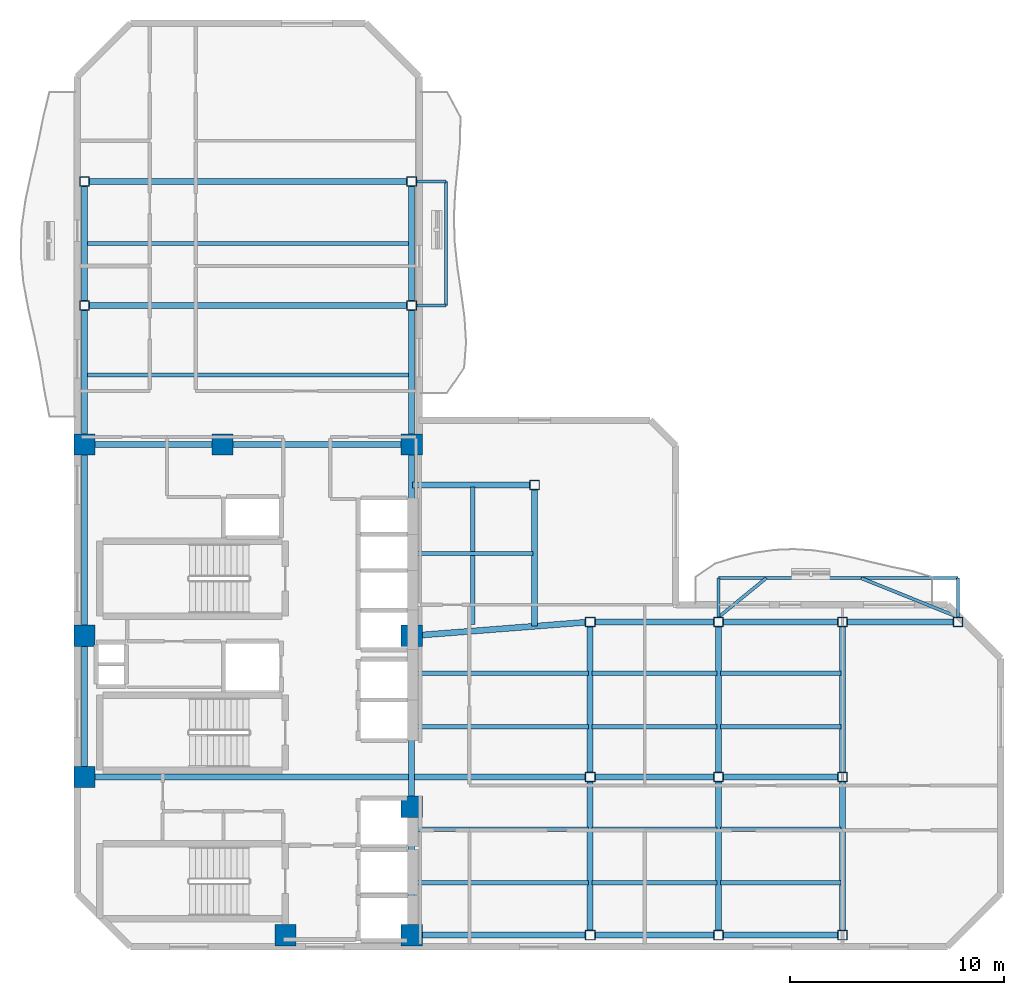
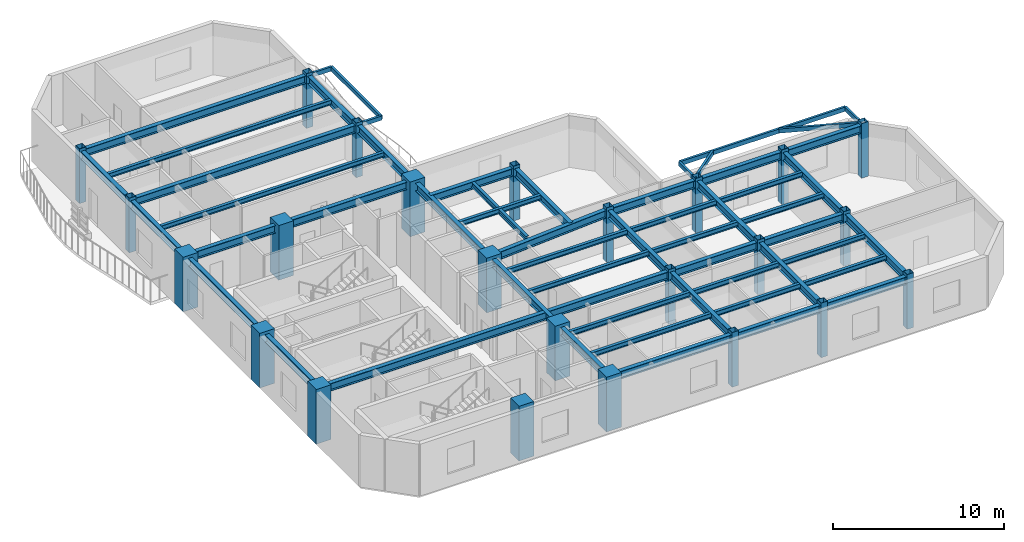
# One storey, part 1 of 9: 55 beams, 24 columns.
"""IFC4 building model written with IfcOpenShell, lengths in metres."""

from ifc_helpers import new_model, si_unit, direction, frame, origin, origin_2d, place, context, subcontext, project, spatial, rectangle, hollow_rectangle, i_section, extrude, material, material_profile, profile_set, type_object, element, save


model = new_model("IFC4")

# Units and contexts
model_context = context("Model", 3, precision=1e-05, world=origin(), true_north=direction((0.0, 1.0)))
body_context = subcontext(model_context, "Body", "Model", "MODEL_VIEW")
ifc_project = project(units=[si_unit("LENGTHUNIT", "METRE"), si_unit("AREAUNIT", "SQUARE_METRE"), si_unit("VOLUMEUNIT", "CUBIC_METRE"), si_unit("PLANEANGLEUNIT", "RADIAN"), si_unit("MASSUNIT", "GRAM", prefix="KILO")], contexts=[model_context])

# Site, building, storey
site_placement = place(None, origin())
site = spatial("IfcSite", under=ifc_project, at=site_placement, CompositionType="ELEMENT")
building_placement = place(site_placement, origin())
building = spatial("IfcBuilding", under=site, at=building_placement, Name="Mawjaban Terraces University", CompositionType="ELEMENT")
storey_placement = place(building_placement, frame((0.0, 0.0, 175.800048828125)))
storey = spatial("IfcBuildingStorey", under=building, at=storey_placement, Name="L42", CompositionType="ELEMENT", Elevation=175.800048828125)

# Columns
ifc_material_1 = material(Name="Concrete C60/75", Category="concrete")
ifc_material_profile_1 = material_profile(ifc_material_1, rectangle(XDim=1.0, YDim=1.0, at=origin_2d()), Name="RC1000X1000")
ifc_profile_set_1 = profile_set([ifc_material_profile_1], Name="Concrete C60/75")
column_type_1 = type_object("IfcColumnType", Name="Col_RC1000X1000", PredefinedType="COLUMN", material=ifc_profile_set_1)
for number, where, z_axis, x_axis, name in (
    (1, (31.75, 0.550048828125, 0.0), (0.0, 0.0, 1.0), (1.0, 0.0, 0.0), "L42 Column CC2"),
    (2, (37.64990234375, 0.550048828125, 0.0), (0.0, 0.0, 1.0), (1.0, 0.0, 0.0), "L42 Column CC3"),
    (3, (22.35009765625, 7.949951171875, 0.0), (0.0, 0.0, 1.0), (1.0, 0.0, 0.0), "L42 Column CC4"),
    (4, (37.64990234375, 6.550048828125, 0.0), (0.0, 0.0, 1.0), (1.0, 0.0, 0.0), "L42 Column CC5"),
    (5, (22.35009765625, 14.550048828125, 0.0), (0.0, 0.0, 1.0), (1.0, 0.0, 0.0), "L42 Column CC6"),
    (6, (37.64990234375, 14.550048828125, 0.0), (0.0, 0.0, 1.0), (1.0, 0.0, 0.0), "L42 Column CC7"),
    (7, (22.35009765625, 23.5, 0.0), (0.0, 0.0, 1.0), (1.0, 0.0, 0.0), "L42 Column CC8"),
    (8, (28.800048828125, 23.5, 0.0), (0.0, 0.0, 1.0), (1.0, 0.0, 0.0), "L42 Column CC9"),
    (9, (37.64990234375, 23.5, 0.0), (0.0, 0.0, 1.0), (1.0, 0.0, 0.0), "L42 Column CC10"),
):
    element("IfcColumn", number, at=place(storey_placement, frame(where, z_axis=z_axis, x_axis=x_axis)), inside=storey, type_object=column_type_1, Name=name, PredefinedType="COLUMN", context=body_context, shape_type="SweptSolid", body=[
        extrude(rectangle(XDim=1.0, YDim=1.0, at=origin_2d()), origin(), (0.0, 0.0, 1.0), 3.89990234375),
    ])
ifc_material_2 = material(Name="Steel EN 10210-1 S355J2H", Category="steel")
ifc_material_profile_2 = material_profile(ifc_material_2, hollow_rectangle(XDim=0.449951171875, YDim=0.449951171875, WallThickness=0.02001953125, at=origin_2d()), Name="SHS450X450X20")
ifc_profile_set_2 = profile_set([ifc_material_profile_2], Name="Steel EN 10210-1 S355J2H")
column_type_2 = type_object("IfcColumnType", Name="Col_SHS450X450X20", PredefinedType="COLUMN", material=ifc_profile_set_2)
for number, where, z_axis, x_axis, name in (
    (10, (46.0, 0.550048828125, 0.0), (0.0, 0.0, 1.0), (1.0, 0.0, 0.0), "L42 Column TE-460-005"),
    (11, (46.0, 7.949951171875, 0.0), (0.0, 0.0, 1.0), (1.0, 0.0, 0.0), "L42 Column TE-460-080"),
    (12, (46.0, 15.199951171875, 0.0), (0.0, 0.0, 1.0), (1.0, 0.0, 0.0), "L42 Column TE-460-152"),
    (13, (52.0, 0.550048828125, 0.0), (0.0, 0.0, 1.0), (1.0, 0.0, 0.0), "L42 Column TE-520-005"),
    (14, (52.0, 7.949951171875, 0.0), (0.0, 0.0, 1.0), (1.0, 0.0, 0.0), "L42 Column TE-520-080"),
    (15, (52.0, 15.199951171875, 0.0), (0.0, 0.0, 1.0), (1.0, 0.0, 0.0), "L42 Column TE-520-152"),
    (16, (57.800048828125, 0.550048828125, 0.0), (0.0, 0.0, 1.0), (1.0, 0.0, 0.0), "L42 Column TE-578-005"),
    (17, (57.800048828125, 7.949951171875, 0.0), (0.0, 0.0, 1.0), (1.0, 0.0, 0.0), "L42 Column TE-578-080"),
    (18, (57.800048828125, 15.199951171875, 0.0), (0.0, 0.0, 1.0), (1.0, 0.0, 0.0), "L42 Column TE-578-152"),
    (19, (63.199951171875, 15.199951171875, 0.0), (0.0, 0.0, 1.0), (1.0, 0.0, 0.0), "L42 Column TE-632-152"),
    (20, (22.35009765625, 30.0, 0.0), (0.0, 0.0, 1.0), (1.0, 0.0, 0.0), "L42 Column TN-223-300"),
    (21, (37.64990234375, 30.0, 0.0), (0.0, 0.0, 1.0), (1.0, 0.0, 0.0), "L42 Column TN-376-300"),
    (22, (22.35009765625, 35.800048828125, 0.0), (0.0, 0.0, 1.0), (1.0, 0.0, 0.0), "L42 Column TN-223-358"),
    (23, (37.64990234375, 35.800048828125, 0.0), (0.0, 0.0, 1.0), (1.0, 0.0, 0.0), "L42 Column TN-376-358"),
    (24, (43.39990234375, 21.60009765625, 0.0), (0.0, 0.0, 1.0), (1.0, 0.0, 0.0), "L42 Column TS-434-216"),
):
    element("IfcColumn", number, at=place(storey_placement, frame(where, z_axis=z_axis, x_axis=x_axis)), inside=storey, type_object=column_type_2, Name=name, PredefinedType="COLUMN", context=body_context, shape_type="SweptSolid", body=[
        extrude(hollow_rectangle(XDim=0.449951171875, YDim=0.449951171875, WallThickness=0.02001953125, at=origin_2d()), origin(), (0.0, 0.0, 1.0), 3.89990234375),
    ])

# Beams
ifc_material_profile_3 = material_profile(ifc_material_2, hollow_rectangle(XDim=0.14990234375, YDim=0.300048828125, WallThickness=0.012451171875, at=origin_2d()), Name="RHS300X150X12.5")
ifc_profile_set_3 = profile_set([ifc_material_profile_3], Name="Steel EN 10210-1 S355J2H")
beam_type_1 = type_object("IfcBeamType", Name="BalconyCantileverSpandrel_RHS", PredefinedType="SPANDREL", material=ifc_profile_set_3)
for number, where, z_axis, x_axis, name in (
    (25, (52.0, 15.425048828125, 3.5400390625), (0.0, 1.0, 0.0), (-1.0, 0.0, 0.0), "L42 Exterior Outrigger BAL-L43-N.1"),
    (26, (63.199951171875, 15.425048828125, 3.5400390625), (0.0, 1.0, 0.0), (-1.0, 0.0, 0.0), "L42 Exterior Outrigger BAL-L43-N.2"),
):
    element("IfcBeam", number, at=place(storey_placement, frame(where, z_axis=z_axis, x_axis=x_axis)), inside=storey, type_object=beam_type_1, Name=name, PredefinedType="SPANDREL", context=body_context, shape_type="SweptSolid", body=[
        extrude(hollow_rectangle(XDim=0.14990234375, YDim=0.300048828125, WallThickness=0.012451171875, at=origin_2d()), origin(), (0.0, 0.0, 1.0), 1.824951171875),
    ])
beam_1_placement = place(storey_placement, frame((52.0, 17.25, 3.5400390625), z_axis=(1.0, 0.0, 0.0), x_axis=(0.0, 1.0, 0.0)))
element("IfcBeam", 27, at=beam_1_placement, inside=storey, type_object=beam_type_1, Name="L42 Exterior Edge Spandrel BAL-L43-N", PredefinedType="SPANDREL", context=body_context, shape_type="SweptSolid", body=[
    extrude(hollow_rectangle(XDim=0.14990234375, YDim=0.300048828125, WallThickness=0.012451171875, at=origin_2d()), origin(), (0.0, 0.0, 1.0), 11.199951171875),
])
beam_2_placement = place(storey_placement, frame((52.0, 15.425048828125, 3.5400390625), z_axis=(0.773885570903, 0.633325448051, 0.0), x_axis=(-0.633325448051, 0.773885570903, 0.0)))
element("IfcBeam", 28, at=beam_2_placement, inside=storey, type_object=beam_type_1, Name="L42 Exterior Diagonal Strut BAL-L43-N.1", PredefinedType="SPANDREL", context=body_context, shape_type="SweptSolid", body=[
    extrude(hollow_rectangle(XDim=0.14990234375, YDim=0.300048828125, WallThickness=0.012451171875, at=origin_2d()), origin(), (0.0, 0.0, 1.0), 2.881591796875),
])
beam_3_placement = place(storey_placement, frame((63.199951171875, 15.425048828125, 3.5400390625), z_axis=(-0.927560275354, 0.373673568217, 0.0), x_axis=(-0.373673568217, -0.927560275354, 0.0)))
element("IfcBeam", 29, at=beam_3_placement, inside=storey, type_object=beam_type_1, Name="L42 Exterior Diagonal Strut BAL-L43-N.2", PredefinedType="SPANDREL", context=body_context, shape_type="SweptSolid", body=[
    extrude(hollow_rectangle(XDim=0.14990234375, YDim=0.300048828125, WallThickness=0.012451171875, at=origin_2d()), origin(), (0.0, 0.0, 1.0), 4.8837890625),
])
for number, where, z_axis, x_axis, name in (
    (30, (37.875, 30.0, 3.5400390625), (1.0, 0.0, 0.0), (0.0, 1.0, 0.0), "L42 Exterior Outrigger BAL-L43-E.1"),
    (31, (37.875, 35.800048828125, 3.5400390625), (1.0, 0.0, 0.0), (0.0, 1.0, 0.0), "L42 Exterior Outrigger BAL-L43-E.2"),
):
    element("IfcBeam", number, at=place(storey_placement, frame(where, z_axis=z_axis, x_axis=x_axis)), inside=storey, type_object=beam_type_1, Name=name, PredefinedType="SPANDREL", context=body_context, shape_type="SweptSolid", body=[
        extrude(hollow_rectangle(XDim=0.14990234375, YDim=0.300048828125, WallThickness=0.012451171875, at=origin_2d()), origin(), (0.0, 0.0, 1.0), 1.375),
    ])
beam_4_placement = place(storey_placement, frame((39.25, 30.0, 3.5400390625), z_axis=(0.0, 1.0, 0.0), x_axis=(-1.0, 0.0, 0.0)))
element("IfcBeam", 32, at=beam_4_placement, inside=storey, type_object=beam_type_1, Name="L42 Exterior Edge Spandrel BAL-L43-E", PredefinedType="SPANDREL", context=body_context, shape_type="SweptSolid", body=[
    extrude(hollow_rectangle(XDim=0.14990234375, YDim=0.300048828125, WallThickness=0.012451171875, at=origin_2d()), origin(), (0.0, 0.0, 1.0), 5.800048828125),
])
ifc_material_3 = material(Name="Steel ASTM A572 Grade 50", Category="steel")
ifc_material_profile_4 = material_profile(ifc_material_3, i_section(OverallWidth=0.281005859375, OverallDepth=0.551025390625, WebThickness=0.01513671875, FlangeThickness=0.02587890625, at=origin_2d()), Name="W530X182")
ifc_profile_set_4 = profile_set([ifc_material_profile_4], Name="Steel ASTM A572 Grade 50")
beam_type_2 = type_object("IfcBeamType", Name="Beam_B_W530X182", PredefinedType="BEAM", material=ifc_profile_set_4)
beam_5_placement = place(storey_placement, frame((38.14990234375, 0.550048828125, 3.4150390625), z_axis=(1.0, 0.0, 0.0), x_axis=(0.0, 1.0, 0.0)))
element("IfcBeam", 33, at=beam_5_placement, inside=storey, type_object=beam_type_2, Name="L42 Beam BM-L42-EW-01", PredefinedType="BEAM", context=body_context, shape_type="SweptSolid", body=[
    extrude(i_section(OverallWidth=0.281005859375, OverallDepth=0.551025390625, WebThickness=0.01513671875, FlangeThickness=0.02587890625, at=origin_2d()), origin(), (0.0, 0.0, 1.0), 7.625),
])
beam_6_placement = place(storey_placement, frame((46.22509765625, 0.550048828125, 3.4150390625), z_axis=(1.0, 0.0, 0.0), x_axis=(0.0, 1.0, 0.0)))
element("IfcBeam", 34, at=beam_6_placement, inside=storey, type_object=beam_type_2, Name="L42 Beam BM-L42-EW-02", PredefinedType="BEAM", context=body_context, shape_type="SweptSolid", body=[
    extrude(i_section(OverallWidth=0.281005859375, OverallDepth=0.551025390625, WebThickness=0.01513671875, FlangeThickness=0.02587890625, at=origin_2d()), origin(), (0.0, 0.0, 1.0), 5.5498046875),
])
beam_7_placement = place(storey_placement, frame((52.22509765625, 0.550048828125, 3.4150390625), z_axis=(1.0, 0.0, 0.0), x_axis=(0.0, 1.0, 0.0)))
element("IfcBeam", 35, at=beam_7_placement, inside=storey, type_object=beam_type_2, Name="L42 Beam BM-L42-EW-03", PredefinedType="BEAM", context=body_context, shape_type="SweptSolid", body=[
    extrude(i_section(OverallWidth=0.281005859375, OverallDepth=0.551025390625, WebThickness=0.01513671875, FlangeThickness=0.02587890625, at=origin_2d()), origin(), (0.0, 0.0, 1.0), 5.349853515625),
])
beam_8_placement = place(storey_placement, frame((22.85009765625, 7.949951171875, 3.4150390625), z_axis=(1.0, 0.0, 0.0), x_axis=(0.0, 1.0, 0.0)))
element("IfcBeam", 36, at=beam_8_placement, inside=storey, type_object=beam_type_2, Name="L42 Beam BM-L42-EW-04", PredefinedType="BEAM", context=body_context, shape_type="SweptSolid", body=[
    extrude(i_section(OverallWidth=0.281005859375, OverallDepth=0.551025390625, WebThickness=0.01513671875, FlangeThickness=0.02587890625, at=origin_2d()), origin(), (0.0, 0.0, 1.0), 22.9248046875),
])
beam_9_placement = place(storey_placement, frame((46.22509765625, 7.949951171875, 3.4150390625), z_axis=(1.0, 0.0, 0.0), x_axis=(0.0, 1.0, 0.0)))
element("IfcBeam", 37, at=beam_9_placement, inside=storey, type_object=beam_type_2, Name="L42 Beam BM-L42-EW-05", PredefinedType="BEAM", context=body_context, shape_type="SweptSolid", body=[
    extrude(i_section(OverallWidth=0.281005859375, OverallDepth=0.551025390625, WebThickness=0.01513671875, FlangeThickness=0.02587890625, at=origin_2d()), origin(), (0.0, 0.0, 1.0), 5.5498046875),
])
beam_10_placement = place(storey_placement, frame((52.22509765625, 7.949951171875, 3.4150390625), z_axis=(1.0, 0.0, 0.0), x_axis=(0.0, 1.0, 0.0)))
element("IfcBeam", 38, at=beam_10_placement, inside=storey, type_object=beam_type_2, Name="L42 Beam BM-L42-EW-06", PredefinedType="BEAM", context=body_context, shape_type="SweptSolid", body=[
    extrude(i_section(OverallWidth=0.281005859375, OverallDepth=0.551025390625, WebThickness=0.01513671875, FlangeThickness=0.02587890625, at=origin_2d()), origin(), (0.0, 0.0, 1.0), 5.349853515625),
])
beam_11_placement = place(storey_placement, frame((46.22509765625, 15.199951171875, 3.4150390625), z_axis=(1.0, 0.0, 0.0), x_axis=(0.0, 1.0, 0.0)))
element("IfcBeam", 39, at=beam_11_placement, inside=storey, type_object=beam_type_2, Name="L42 Beam BM-L42-EW-07", PredefinedType="BEAM", context=body_context, shape_type="SweptSolid", body=[
    extrude(i_section(OverallWidth=0.281005859375, OverallDepth=0.551025390625, WebThickness=0.01513671875, FlangeThickness=0.02587890625, at=origin_2d()), origin(), (0.0, 0.0, 1.0), 5.5498046875),
])
beam_12_placement = place(storey_placement, frame((52.22509765625, 15.199951171875, 3.4150390625), z_axis=(1.0, 0.0, 0.0), x_axis=(0.0, 1.0, 0.0)))
element("IfcBeam", 40, at=beam_12_placement, inside=storey, type_object=beam_type_2, Name="L42 Beam BM-L42-EW-08", PredefinedType="BEAM", context=body_context, shape_type="SweptSolid", body=[
    extrude(i_section(OverallWidth=0.281005859375, OverallDepth=0.551025390625, WebThickness=0.01513671875, FlangeThickness=0.02587890625, at=origin_2d()), origin(), (0.0, 0.0, 1.0), 5.349853515625),
])
beam_13_placement = place(storey_placement, frame((58.02490234375, 15.199951171875, 3.4150390625), z_axis=(1.0, 0.0, 0.0), x_axis=(0.0, 1.0, 0.0)))
element("IfcBeam", 41, at=beam_13_placement, inside=storey, type_object=beam_type_2, Name="L42 Beam BM-L42-EW-09", PredefinedType="BEAM", context=body_context, shape_type="SweptSolid", body=[
    extrude(i_section(OverallWidth=0.281005859375, OverallDepth=0.551025390625, WebThickness=0.01513671875, FlangeThickness=0.02587890625, at=origin_2d()), origin(), (0.0, 0.0, 1.0), 4.9501953125),
])
beam_14_placement = place(storey_placement, frame((22.85009765625, 23.5, 3.4150390625), z_axis=(1.0, 0.0, 0.0), x_axis=(0.0, 1.0, 0.0)))
element("IfcBeam", 42, at=beam_14_placement, inside=storey, type_object=beam_type_2, Name="L42 Beam BM-L42-EW-10", PredefinedType="BEAM", context=body_context, shape_type="SweptSolid", body=[
    extrude(i_section(OverallWidth=0.281005859375, OverallDepth=0.551025390625, WebThickness=0.01513671875, FlangeThickness=0.02587890625, at=origin_2d()), origin(), (0.0, 0.0, 1.0), 5.449951171875),
])
beam_15_placement = place(storey_placement, frame((29.300048828125, 23.5, 3.4150390625), z_axis=(1.0, 0.0, 0.0), x_axis=(0.0, 1.0, 0.0)))
element("IfcBeam", 43, at=beam_15_placement, inside=storey, type_object=beam_type_2, Name="L42 Beam BM-L42-EW-11", PredefinedType="BEAM", context=body_context, shape_type="SweptSolid", body=[
    extrude(i_section(OverallWidth=0.281005859375, OverallDepth=0.551025390625, WebThickness=0.01513671875, FlangeThickness=0.02587890625, at=origin_2d()), origin(), (0.0, 0.0, 1.0), 7.849853515625),
])
for number, where, z_axis, x_axis, name in (
    (44, (22.574951171875, 30.0, 3.4150390625), (1.0, 0.0, 0.0), (0.0, 1.0, 0.0), "L42 Beam BM-L42-EW-12"),
    (45, (22.574951171875, 35.800048828125, 3.4150390625), (1.0, 0.0, 0.0), (0.0, 1.0, 0.0), "L42 Beam BM-L42-EW-13"),
):
    element("IfcBeam", number, at=place(storey_placement, frame(where, z_axis=z_axis, x_axis=x_axis)), inside=storey, type_object=beam_type_2, Name=name, PredefinedType="BEAM", context=body_context, shape_type="SweptSolid", body=[
        extrude(i_section(OverallWidth=0.281005859375, OverallDepth=0.551025390625, WebThickness=0.01513671875, FlangeThickness=0.02587890625, at=origin_2d()), origin(), (0.0, 0.0, 1.0), 14.85009765625),
    ])
beam_16_placement = place(storey_placement, frame((22.35009765625, 8.449951171875, 3.4150390625), z_axis=(0.0, 1.0, 0.0), x_axis=(-1.0, 0.0, 0.0)))
element("IfcBeam", 46, at=beam_16_placement, inside=storey, type_object=beam_type_2, Name="L42 Beam BM-L42-NS-01", PredefinedType="BEAM", context=body_context, shape_type="SweptSolid", body=[
    extrude(i_section(OverallWidth=0.281005859375, OverallDepth=0.551025390625, WebThickness=0.01513671875, FlangeThickness=0.02587890625, at=origin_2d()), origin(), (0.0, 0.0, 1.0), 5.60009765625),
])
beam_17_placement = place(storey_placement, frame((22.35009765625, 15.050048828125, 3.4150390625), z_axis=(0.0, 1.0, 0.0), x_axis=(-1.0, 0.0, 0.0)))
element("IfcBeam", 47, at=beam_17_placement, inside=storey, type_object=beam_type_2, Name="L42 Beam BM-L42-NS-02", PredefinedType="BEAM", context=body_context, shape_type="SweptSolid", body=[
    extrude(i_section(OverallWidth=0.281005859375, OverallDepth=0.551025390625, WebThickness=0.01513671875, FlangeThickness=0.02587890625, at=origin_2d()), origin(), (0.0, 0.0, 1.0), 7.949951171875),
])
beam_18_placement = place(storey_placement, frame((22.35009765625, 24.0, 3.4150390625), z_axis=(0.0, 1.0, 0.0), x_axis=(-1.0, 0.0, 0.0)))
element("IfcBeam", 48, at=beam_18_placement, inside=storey, type_object=beam_type_2, Name="L42 Beam BM-L42-NS-03", PredefinedType="BEAM", context=body_context, shape_type="SweptSolid", body=[
    extrude(i_section(OverallWidth=0.281005859375, OverallDepth=0.551025390625, WebThickness=0.01513671875, FlangeThickness=0.02587890625, at=origin_2d()), origin(), (0.0, 0.0, 1.0), 5.77490234375),
])
beam_19_placement = place(storey_placement, frame((22.35009765625, 30.22509765625, 3.4150390625), z_axis=(0.0, 1.0, 0.0), x_axis=(-1.0, 0.0, 0.0)))
element("IfcBeam", 49, at=beam_19_placement, inside=storey, type_object=beam_type_2, Name="L42 Beam BM-L42-NS-04", PredefinedType="BEAM", context=body_context, shape_type="SweptSolid", body=[
    extrude(i_section(OverallWidth=0.281005859375, OverallDepth=0.551025390625, WebThickness=0.01513671875, FlangeThickness=0.02587890625, at=origin_2d()), origin(), (0.0, 0.0, 1.0), 5.349853515625),
])
beam_20_placement = place(storey_placement, frame((37.64990234375, 1.050048828125, 3.4150390625), z_axis=(0.0, 1.0, 0.0), x_axis=(-1.0, 0.0, 0.0)))
element("IfcBeam", 50, at=beam_20_placement, inside=storey, type_object=beam_type_2, Name="L42 Beam BM-L42-NS-05", PredefinedType="BEAM", context=body_context, shape_type="SweptSolid", body=[
    extrude(i_section(OverallWidth=0.281005859375, OverallDepth=0.551025390625, WebThickness=0.01513671875, FlangeThickness=0.02587890625, at=origin_2d()), origin(), (0.0, 0.0, 1.0), 5.0),
])
beam_21_placement = place(storey_placement, frame((37.64990234375, 7.050048828125, 3.4150390625), z_axis=(0.0, 1.0, 0.0), x_axis=(-1.0, 0.0, 0.0)))
element("IfcBeam", 51, at=beam_21_placement, inside=storey, type_object=beam_type_2, Name="L42 Beam BM-L42-NS-06", PredefinedType="BEAM", context=body_context, shape_type="SweptSolid", body=[
    extrude(i_section(OverallWidth=0.281005859375, OverallDepth=0.551025390625, WebThickness=0.01513671875, FlangeThickness=0.02587890625, at=origin_2d()), origin(), (0.0, 0.0, 1.0), 7.0),
])
beam_22_placement = place(storey_placement, frame((37.64990234375, 15.050048828125, 3.4150390625), z_axis=(0.0, 1.0, 0.0), x_axis=(-1.0, 0.0, 0.0)))
element("IfcBeam", 52, at=beam_22_placement, inside=storey, type_object=beam_type_2, Name="L42 Beam BM-L42-NS-07", PredefinedType="BEAM", context=body_context, shape_type="SweptSolid", body=[
    extrude(i_section(OverallWidth=0.281005859375, OverallDepth=0.551025390625, WebThickness=0.01513671875, FlangeThickness=0.02587890625, at=origin_2d()), origin(), (0.0, 0.0, 1.0), 7.949951171875),
])
beam_23_placement = place(storey_placement, frame((37.64990234375, 24.0, 3.4150390625), z_axis=(0.0, 1.0, 0.0), x_axis=(-1.0, 0.0, 0.0)))
element("IfcBeam", 53, at=beam_23_placement, inside=storey, type_object=beam_type_2, Name="L42 Beam BM-L42-NS-08", PredefinedType="BEAM", context=body_context, shape_type="SweptSolid", body=[
    extrude(i_section(OverallWidth=0.281005859375, OverallDepth=0.551025390625, WebThickness=0.01513671875, FlangeThickness=0.02587890625, at=origin_2d()), origin(), (0.0, 0.0, 1.0), 5.77490234375),
])
beam_24_placement = place(storey_placement, frame((37.64990234375, 30.22509765625, 3.4150390625), z_axis=(0.0, 1.0, 0.0), x_axis=(-1.0, 0.0, 0.0)))
element("IfcBeam", 54, at=beam_24_placement, inside=storey, type_object=beam_type_2, Name="L42 Beam BM-L42-NS-09", PredefinedType="BEAM", context=body_context, shape_type="SweptSolid", body=[
    extrude(i_section(OverallWidth=0.281005859375, OverallDepth=0.551025390625, WebThickness=0.01513671875, FlangeThickness=0.02587890625, at=origin_2d()), origin(), (0.0, 0.0, 1.0), 5.349853515625),
])
beam_25_placement = place(storey_placement, frame((46.0, 0.77490234375, 3.4150390625), z_axis=(0.0, 1.0, 0.0), x_axis=(-1.0, 0.0, 0.0)))
element("IfcBeam", 55, at=beam_25_placement, inside=storey, type_object=beam_type_2, Name="L42 Beam BM-L42-NS-10", PredefinedType="BEAM", context=body_context, shape_type="SweptSolid", body=[
    extrude(i_section(OverallWidth=0.281005859375, OverallDepth=0.551025390625, WebThickness=0.01513671875, FlangeThickness=0.02587890625, at=origin_2d()), origin(), (0.0, 0.0, 1.0), 6.9501953125),
])
beam_26_placement = place(storey_placement, frame((46.0, 8.175048828125, 3.4150390625), z_axis=(0.0, 1.0, 0.0), x_axis=(-1.0, 0.0, 0.0)))
element("IfcBeam", 56, at=beam_26_placement, inside=storey, type_object=beam_type_2, Name="L42 Beam BM-L42-NS-11", PredefinedType="BEAM", context=body_context, shape_type="SweptSolid", body=[
    extrude(i_section(OverallWidth=0.281005859375, OverallDepth=0.551025390625, WebThickness=0.01513671875, FlangeThickness=0.02587890625, at=origin_2d()), origin(), (0.0, 0.0, 1.0), 6.800048828125),
])
beam_27_placement = place(storey_placement, frame((52.0, 0.77490234375, 3.4150390625), z_axis=(0.0, 1.0, 0.0), x_axis=(-1.0, 0.0, 0.0)))
element("IfcBeam", 57, at=beam_27_placement, inside=storey, type_object=beam_type_2, Name="L42 Beam BM-L42-NS-12", PredefinedType="BEAM", context=body_context, shape_type="SweptSolid", body=[
    extrude(i_section(OverallWidth=0.281005859375, OverallDepth=0.551025390625, WebThickness=0.01513671875, FlangeThickness=0.02587890625, at=origin_2d()), origin(), (0.0, 0.0, 1.0), 6.9501953125),
])
beam_28_placement = place(storey_placement, frame((52.0, 8.175048828125, 3.4150390625), z_axis=(0.0, 1.0, 0.0), x_axis=(-1.0, 0.0, 0.0)))
element("IfcBeam", 58, at=beam_28_placement, inside=storey, type_object=beam_type_2, Name="L42 Beam BM-L42-NS-13", PredefinedType="BEAM", context=body_context, shape_type="SweptSolid", body=[
    extrude(i_section(OverallWidth=0.281005859375, OverallDepth=0.551025390625, WebThickness=0.01513671875, FlangeThickness=0.02587890625, at=origin_2d()), origin(), (0.0, 0.0, 1.0), 6.800048828125),
])
beam_29_placement = place(storey_placement, frame((57.800048828125, 0.77490234375, 3.4150390625), z_axis=(0.0, 1.0, 0.0), x_axis=(-1.0, 0.0, 0.0)))
element("IfcBeam", 59, at=beam_29_placement, inside=storey, type_object=beam_type_2, Name="L42 Beam BM-L42-NS-14", PredefinedType="BEAM", context=body_context, shape_type="SweptSolid", body=[
    extrude(i_section(OverallWidth=0.281005859375, OverallDepth=0.551025390625, WebThickness=0.01513671875, FlangeThickness=0.02587890625, at=origin_2d()), origin(), (0.0, 0.0, 1.0), 6.9501953125),
])
beam_30_placement = place(storey_placement, frame((57.800048828125, 8.175048828125, 3.4150390625), z_axis=(0.0, 1.0, 0.0), x_axis=(-1.0, 0.0, 0.0)))
element("IfcBeam", 60, at=beam_30_placement, inside=storey, type_object=beam_type_2, Name="L42 Beam BM-L42-NS-15", PredefinedType="BEAM", context=body_context, shape_type="SweptSolid", body=[
    extrude(i_section(OverallWidth=0.281005859375, OverallDepth=0.551025390625, WebThickness=0.01513671875, FlangeThickness=0.02587890625, at=origin_2d()), origin(), (0.0, 0.0, 1.0), 6.800048828125),
])
beam_31_placement = place(storey_placement, frame((38.14794921875, 14.589111328125, 3.4150390625), z_axis=(0.99698177718, 0.077635919341, 0.0), x_axis=(-0.077635919341, 0.99698177718, 0.0)))
element("IfcBeam", 61, at=beam_31_placement, inside=storey, type_object=beam_type_2, Name="L42 Beam BM-L42-CTIE", PredefinedType="BEAM", context=body_context, shape_type="SweptSolid", body=[
    extrude(i_section(OverallWidth=0.281005859375, OverallDepth=0.551025390625, WebThickness=0.01513671875, FlangeThickness=0.02587890625, at=origin_2d()), origin(), (0.0, 0.0, 1.0), 7.651123046875),
])
beam_32_placement = place(storey_placement, frame((37.679931640625, 21.60009765625, 3.4150390625), z_axis=(1.0, 0.0, 0.0), x_axis=(0.0, 1.0, 0.0)))
element("IfcBeam", 62, at=beam_32_placement, inside=storey, type_object=beam_type_2, Name="L42 Spur Tie Girder West", PredefinedType="BEAM", context=body_context, shape_type="SweptSolid", body=[
    extrude(i_section(OverallWidth=0.281005859375, OverallDepth=0.551025390625, WebThickness=0.01513671875, FlangeThickness=0.02587890625, at=origin_2d()), origin(), (0.0, 0.0, 1.0), 5.4951171875),
])
beam_33_placement = place(storey_placement, frame((43.39990234375, 15.0, 3.4150390625), z_axis=(0.0, 1.0, 0.0), x_axis=(-1.0, 0.0, 0.0)))
element("IfcBeam", 63, at=beam_33_placement, inside=storey, type_object=beam_type_2, Name="L42 Spur Tie Girder South", PredefinedType="BEAM", context=body_context, shape_type="SweptSolid", body=[
    extrude(i_section(OverallWidth=0.281005859375, OverallDepth=0.551025390625, WebThickness=0.01513671875, FlangeThickness=0.02587890625, at=origin_2d()), origin(), (0.0, 0.0, 1.0), 6.375),
])
ifc_material_profile_5 = material_profile(ifc_material_3, i_section(OverallWidth=0.202880859375, OverallDepth=0.346923828125, WebThickness=0.0078125, FlangeThickness=0.013427734375, at=origin_2d()), Name="W360X64")
ifc_profile_set_5 = profile_set([ifc_material_profile_5], Name="Steel ASTM A572 Grade 50")
beam_type_3 = type_object("IfcBeamType", Name="Beam_J_W360X64", PredefinedType="JOIST", material=ifc_profile_set_5)
beam_34_placement = place(storey_placement, frame((37.72998046875, 3.0, 3.516845703125), z_axis=(1.0, 0.0, 0.0), x_axis=(0.0, 1.0, 0.0)))
element("IfcBeam", 64, at=beam_34_placement, inside=storey, type_object=beam_type_3, Name="L42 Composite Joist JST-L42-01", PredefinedType="JOIST", context=body_context, shape_type="SweptSolid", body=[
    extrude(i_section(OverallWidth=0.202880859375, OverallDepth=0.346923828125, WebThickness=0.0078125, FlangeThickness=0.013427734375, at=origin_2d()), origin(), (0.0, 0.0, 1.0), 8.18994140625),
])
beam_35_placement = place(storey_placement, frame((46.080078125, 3.0, 3.516845703125), z_axis=(1.0, 0.0, 0.0), x_axis=(0.0, 1.0, 0.0)))
element("IfcBeam", 65, at=beam_35_placement, inside=storey, type_object=beam_type_3, Name="L42 Composite Joist JST-L42-02", PredefinedType="JOIST", context=body_context, shape_type="SweptSolid", body=[
    extrude(i_section(OverallWidth=0.202880859375, OverallDepth=0.346923828125, WebThickness=0.0078125, FlangeThickness=0.013427734375, at=origin_2d()), origin(), (0.0, 0.0, 1.0), 5.83984375),
])
beam_36_placement = place(storey_placement, frame((52.080078125, 3.0, 3.516845703125), z_axis=(1.0, 0.0, 0.0), x_axis=(0.0, 1.0, 0.0)))
element("IfcBeam", 66, at=beam_36_placement, inside=storey, type_object=beam_type_3, Name="L42 Composite Joist JST-L42-03", PredefinedType="JOIST", context=body_context, shape_type="SweptSolid", body=[
    extrude(i_section(OverallWidth=0.202880859375, OverallDepth=0.346923828125, WebThickness=0.0078125, FlangeThickness=0.013427734375, at=origin_2d()), origin(), (0.0, 0.0, 1.0), 5.639892578125),
])
beam_37_placement = place(storey_placement, frame((37.72998046875, 5.5, 3.516845703125), z_axis=(1.0, 0.0, 0.0), x_axis=(0.0, 1.0, 0.0)))
element("IfcBeam", 67, at=beam_37_placement, inside=storey, type_object=beam_type_3, Name="L42 Composite Joist JST-L42-04", PredefinedType="JOIST", context=body_context, shape_type="SweptSolid", body=[
    extrude(i_section(OverallWidth=0.202880859375, OverallDepth=0.346923828125, WebThickness=0.0078125, FlangeThickness=0.013427734375, at=origin_2d()), origin(), (0.0, 0.0, 1.0), 8.18994140625),
])
beam_38_placement = place(storey_placement, frame((46.080078125, 5.5, 3.516845703125), z_axis=(1.0, 0.0, 0.0), x_axis=(0.0, 1.0, 0.0)))
element("IfcBeam", 68, at=beam_38_placement, inside=storey, type_object=beam_type_3, Name="L42 Composite Joist JST-L42-05", PredefinedType="JOIST", context=body_context, shape_type="SweptSolid", body=[
    extrude(i_section(OverallWidth=0.202880859375, OverallDepth=0.346923828125, WebThickness=0.0078125, FlangeThickness=0.013427734375, at=origin_2d()), origin(), (0.0, 0.0, 1.0), 5.83984375),
])
beam_39_placement = place(storey_placement, frame((52.080078125, 5.5, 3.516845703125), z_axis=(1.0, 0.0, 0.0), x_axis=(0.0, 1.0, 0.0)))
element("IfcBeam", 69, at=beam_39_placement, inside=storey, type_object=beam_type_3, Name="L42 Composite Joist JST-L42-06", PredefinedType="JOIST", context=body_context, shape_type="SweptSolid", body=[
    extrude(i_section(OverallWidth=0.202880859375, OverallDepth=0.346923828125, WebThickness=0.0078125, FlangeThickness=0.013427734375, at=origin_2d()), origin(), (0.0, 0.0, 1.0), 5.639892578125),
])
beam_40_placement = place(storey_placement, frame((37.72998046875, 10.300048828125, 3.516845703125), z_axis=(1.0, 0.0, 0.0), x_axis=(0.0, 1.0, 0.0)))
element("IfcBeam", 70, at=beam_40_placement, inside=storey, type_object=beam_type_3, Name="L42 Composite Joist JST-L42-07", PredefinedType="JOIST", context=body_context, shape_type="SweptSolid", body=[
    extrude(i_section(OverallWidth=0.202880859375, OverallDepth=0.346923828125, WebThickness=0.0078125, FlangeThickness=0.013427734375, at=origin_2d()), origin(), (0.0, 0.0, 1.0), 8.18994140625),
])
beam_41_placement = place(storey_placement, frame((46.080078125, 10.300048828125, 3.516845703125), z_axis=(1.0, 0.0, 0.0), x_axis=(0.0, 1.0, 0.0)))
element("IfcBeam", 71, at=beam_41_placement, inside=storey, type_object=beam_type_3, Name="L42 Composite Joist JST-L42-08", PredefinedType="JOIST", context=body_context, shape_type="SweptSolid", body=[
    extrude(i_section(OverallWidth=0.202880859375, OverallDepth=0.346923828125, WebThickness=0.0078125, FlangeThickness=0.013427734375, at=origin_2d()), origin(), (0.0, 0.0, 1.0), 5.83984375),
])
beam_42_placement = place(storey_placement, frame((52.080078125, 10.300048828125, 3.516845703125), z_axis=(1.0, 0.0, 0.0), x_axis=(0.0, 1.0, 0.0)))
element("IfcBeam", 72, at=beam_42_placement, inside=storey, type_object=beam_type_3, Name="L42 Composite Joist JST-L42-09", PredefinedType="JOIST", context=body_context, shape_type="SweptSolid", body=[
    extrude(i_section(OverallWidth=0.202880859375, OverallDepth=0.346923828125, WebThickness=0.0078125, FlangeThickness=0.013427734375, at=origin_2d()), origin(), (0.0, 0.0, 1.0), 5.639892578125),
])
beam_43_placement = place(storey_placement, frame((37.72998046875, 12.800048828125, 3.516845703125), z_axis=(1.0, 0.0, 0.0), x_axis=(0.0, 1.0, 0.0)))
element("IfcBeam", 73, at=beam_43_placement, inside=storey, type_object=beam_type_3, Name="L42 Composite Joist JST-L42-10", PredefinedType="JOIST", context=body_context, shape_type="SweptSolid", body=[
    extrude(i_section(OverallWidth=0.202880859375, OverallDepth=0.346923828125, WebThickness=0.0078125, FlangeThickness=0.013427734375, at=origin_2d()), origin(), (0.0, 0.0, 1.0), 8.18994140625),
])
beam_44_placement = place(storey_placement, frame((46.080078125, 12.800048828125, 3.516845703125), z_axis=(1.0, 0.0, 0.0), x_axis=(0.0, 1.0, 0.0)))
element("IfcBeam", 74, at=beam_44_placement, inside=storey, type_object=beam_type_3, Name="L42 Composite Joist JST-L42-11", PredefinedType="JOIST", context=body_context, shape_type="SweptSolid", body=[
    extrude(i_section(OverallWidth=0.202880859375, OverallDepth=0.346923828125, WebThickness=0.0078125, FlangeThickness=0.013427734375, at=origin_2d()), origin(), (0.0, 0.0, 1.0), 5.83984375),
])
beam_45_placement = place(storey_placement, frame((52.080078125, 12.800048828125, 3.516845703125), z_axis=(1.0, 0.0, 0.0), x_axis=(0.0, 1.0, 0.0)))
element("IfcBeam", 75, at=beam_45_placement, inside=storey, type_object=beam_type_3, Name="L42 Composite Joist JST-L42-12", PredefinedType="JOIST", context=body_context, shape_type="SweptSolid", body=[
    extrude(i_section(OverallWidth=0.202880859375, OverallDepth=0.346923828125, WebThickness=0.0078125, FlangeThickness=0.013427734375, at=origin_2d()), origin(), (0.0, 0.0, 1.0), 5.639892578125),
])
beam_46_placement = place(storey_placement, frame((37.72998046875, 18.39990234375, 3.516845703125), z_axis=(1.0, 0.0, 0.0), x_axis=(0.0, 1.0, 0.0)))
element("IfcBeam", 76, at=beam_46_placement, inside=storey, type_object=beam_type_3, Name="L42 Composite Joist JST-L42-13", PredefinedType="JOIST", context=body_context, shape_type="SweptSolid", body=[
    extrude(i_section(OverallWidth=0.202880859375, OverallDepth=0.346923828125, WebThickness=0.0078125, FlangeThickness=0.013427734375, at=origin_2d()), origin(), (0.0, 0.0, 1.0), 5.590087890625),
])
for number, where, z_axis, x_axis, name in (
    (77, (22.429931640625, 26.75, 3.516845703125), (1.0, 0.0, 0.0), (0.0, 1.0, 0.0), "L42 Composite Joist JST-L42-14"),
    (78, (22.429931640625, 32.89990234375, 3.516845703125), (1.0, 0.0, 0.0), (0.0, 1.0, 0.0), "L42 Composite Joist JST-L42-15"),
):
    element("IfcBeam", number, at=place(storey_placement, frame(where, z_axis=z_axis, x_axis=x_axis)), inside=storey, type_object=beam_type_3, Name=name, PredefinedType="JOIST", context=body_context, shape_type="SweptSolid", body=[
        extrude(i_section(OverallWidth=0.202880859375, OverallDepth=0.346923828125, WebThickness=0.0078125, FlangeThickness=0.013427734375, at=origin_2d()), origin(), (0.0, 0.0, 1.0), 15.14013671875),
    ])
beam_47_placement = place(storey_placement, frame((40.5, 15.080078125, 3.516845703125), z_axis=(0.0, 1.0, 0.0), x_axis=(-1.0, 0.0, 0.0)))
element("IfcBeam", 79, at=beam_47_placement, inside=storey, type_object=beam_type_3, Name="L42 Composite Joist JST-L42-NS-16", PredefinedType="JOIST", context=body_context, shape_type="SweptSolid", body=[
    extrude(i_section(OverallWidth=0.202880859375, OverallDepth=0.346923828125, WebThickness=0.0078125, FlangeThickness=0.013427734375, at=origin_2d()), origin(), (0.0, 0.0, 1.0), 6.43994140625),
])

save(model, "model.ifc")
